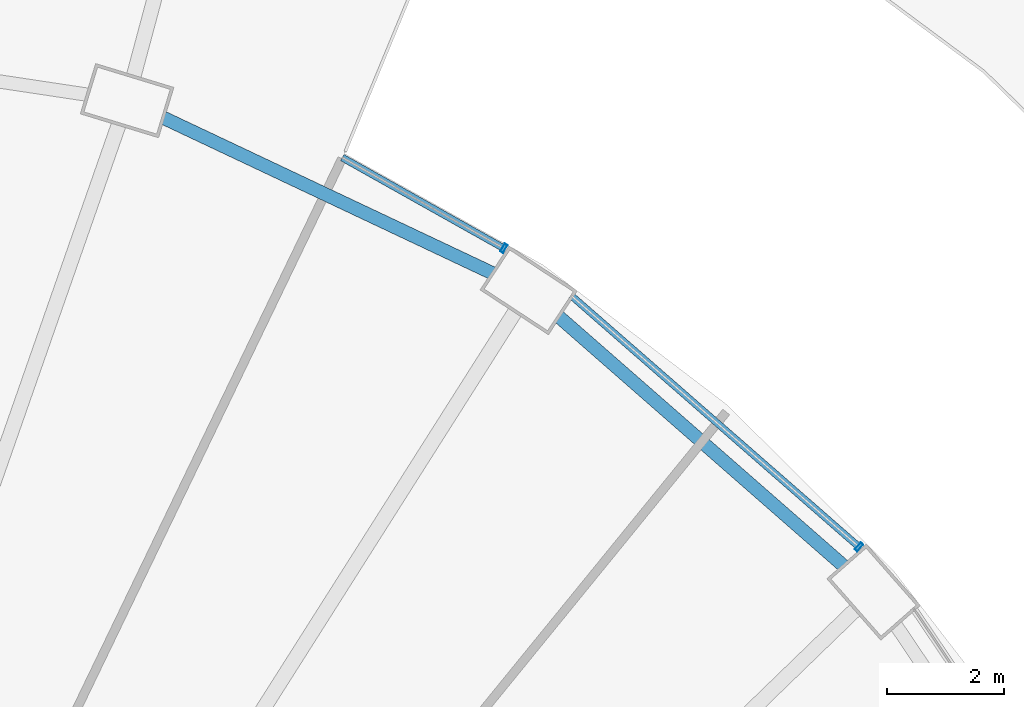
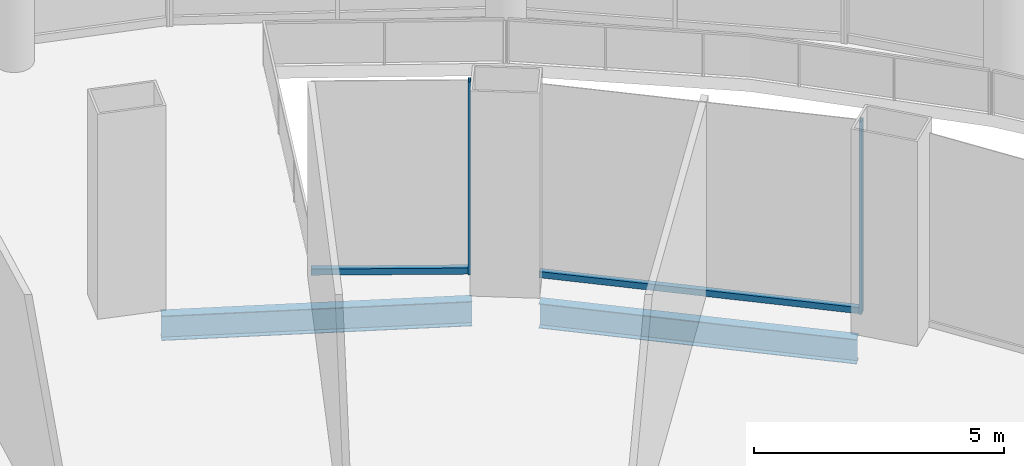
# One storey, part 35 of 47: 4 members, 2 beams, 2 elements without a shape of their own.
"""IFC4 building model written with IfcOpenShell, lengths in metres."""

from ifc_helpers import new_model, si_unit, direction, frame, origin, origin_2d, place, context, subcontext, project, spatial, hollow_rectangle, i_section, extrude, material, layer, layer_set, material_profile, profile_set, type_object, element, aggregate, save


model = new_model("IFC4")

# Units and contexts
model_context = context("Model", 3, precision=1e-05, world=origin(), true_north=direction((0.0, 1.0)))
body_context = subcontext(model_context, "Body", "Model", "MODEL_VIEW")
ifc_project = project(units=[si_unit("LENGTHUNIT", "METRE"), si_unit("AREAUNIT", "SQUARE_METRE"), si_unit("VOLUMEUNIT", "CUBIC_METRE"), si_unit("PLANEANGLEUNIT", "RADIAN"), si_unit("MASSUNIT", "GRAM", prefix="KILO")], contexts=[model_context])

# Site, building, storey
site_placement = place(None, origin())
site = spatial("IfcSite", under=ifc_project, at=site_placement, CompositionType="ELEMENT")
building_placement = place(site_placement, origin())
building = spatial("IfcBuilding", under=site, at=building_placement, Name="Nagisa Residences", CompositionType="ELEMENT")
storey_placement = place(building_placement, frame((0.0, 0.0, 17.0)))
storey = spatial("IfcBuildingStorey", under=building, at=storey_placement, Name="L03", CompositionType="ELEMENT", Elevation=17.0)

# Curtain wall, member
ifc_material_1 = material(Name="Stainless steel curtain wall system", Category="steel")
ifc_layer = layer(ifc_material_1, 0.159912109375)
ifc_layer_set = layer_set([ifc_layer], Name="CW6 CURTAIN WALL")
curtain_wall_type = type_object("IfcCurtainWallType", Name="CW6 CURTAIN WALL", PredefinedType="NOTDEFINED", material=ifc_layer_set)
curtain_wall_1_placement = place(storey_placement, origin())
curtain_wall_1 = element("IfcCurtainWall", 1, at=curtain_wall_1_placement, inside=storey, type_object=curtain_wall_type, Name="cw:CW6:L03:06", PredefinedType="NOTDEFINED")
ifc_material_2 = material(Name="Stainless steel", Category="steel")
ifc_material_profile_1 = material_profile(ifc_material_2, hollow_rectangle(XDim=0.159912109375, YDim=0.06005859375, WallThickness=0.006103515625, at=origin_2d()), Name="CW6 MULLION 160x60")
ifc_profile_set_1 = profile_set([ifc_material_profile_1], Name="Stainless steel")
member_type_1 = type_object("IfcMemberType", Name="CW6 MULLION 160x60", PredefinedType="MULLION", material=ifc_profile_set_1)
member_1_placement = place(storey_placement, frame((23.503662109375, 23.75439453125, 0.0), z_axis=(0.0, 0.0, 1.0), x_axis=(-0.657721475708, -0.753261216572, 0.0)))
member_1 = element("IfcMember", 2, at=member_1_placement, type_object=member_type_1, Name="CW6 mullion", PredefinedType="MULLION", context=body_context, shape_type="SweptSolid", body=[
    extrude(hollow_rectangle(XDim=0.159912109375, YDim=0.06005859375, WallThickness=0.006103515625, at=origin_2d()), origin(), (0.0, 0.0, 1.0), 4.699951171875),
])

curtain_wall_2_placement = place(storey_placement, origin())
curtain_wall_2 = element("IfcCurtainWall", 3, at=curtain_wall_2_placement, inside=storey, type_object=curtain_wall_type, Name="cw:CW6:L03:08", PredefinedType="NOTDEFINED")
member_2_placement = place(storey_placement, frame((17.42431640625, 28.8662109375, 0.0), z_axis=(0.0, 0.0, 1.0), x_axis=(-0.489376918501, -0.872072377523, 0.0)))
member_2 = element("IfcMember", 4, at=member_2_placement, type_object=member_type_1, Name="CW6 mullion", PredefinedType="MULLION", context=body_context, shape_type="SweptSolid", body=[
    extrude(hollow_rectangle(XDim=0.159912109375, YDim=0.06005859375, WallThickness=0.006103515625, at=origin_2d()), origin(), (0.0, 0.0, 1.0), 4.699951171875),
])

# Member
ifc_material_3 = material(Name="Stainless steel", Category="steel")
ifc_material_profile_2 = material_profile(ifc_material_3, hollow_rectangle(XDim=0.1201171875, YDim=0.14990234375, WallThickness=0.008056640625, at=origin_2d()), Name="CW6 TRANSOM 120x150")
ifc_profile_set_2 = profile_set([ifc_material_profile_2], Name="Stainless steel")
member_type_2 = type_object("IfcMemberType", Name="CW6 TRANSOM 120x150", PredefinedType="USERDEFINED", material=ifc_profile_set_2)
member_3_placement = place(storey_placement, frame((23.526123046875, 23.734619140625, 0.074951171875), z_axis=(-0.753255020636, 0.657728571591, 0.0), x_axis=(-0.657728571591, -0.753255020636, 0.0)))
member_3 = element("IfcMember", 5, at=member_3_placement, type_object=member_type_2, Name="CW6 transom", ObjectType="TRANSOM", PredefinedType="USERDEFINED", context=body_context, shape_type="SweptSolid", body=[
    extrude(hollow_rectangle(XDim=0.1201171875, YDim=0.14990234375, WallThickness=0.008056640625, at=origin_2d()), origin(), (0.0, 0.0, 1.0), 6.5732421875),
])

aggregate(curtain_wall_1, [member_1, member_3])

member_4_placement = place(storey_placement, frame((17.450439453125, 28.8515625, 0.074951171875), z_axis=(-0.872070011948, 0.489381133946, 0.0), x_axis=(-0.489381133946, -0.872070011948, 0.0)))
member_4 = element("IfcMember", 6, at=member_4_placement, type_object=member_type_2, Name="CW6 transom", ObjectType="TRANSOM", PredefinedType="USERDEFINED", context=body_context, shape_type="SweptSolid", body=[
    extrude(hollow_rectangle(XDim=0.1201171875, YDim=0.14990234375, WallThickness=0.008056640625, at=origin_2d()), origin(), (0.0, 0.0, 1.0), 3.201171875),
])

aggregate(curtain_wall_2, [member_2, member_4])

# Beams
ifc_material_4 = material(Name="Steel ASTM A572 Gr 50", Category="steel")
ifc_material_profile_3 = material_profile(ifc_material_4, i_section(OverallWidth=0.22802734375, OverallDepth=0.60302734375, WebThickness=0.010498046875, FlangeThickness=0.014892578125, at=origin_2d()), Name="W610x101")
ifc_profile_set_3 = profile_set([ifc_material_profile_3], Name="Steel ASTM A572 Gr 50")
beam_type = type_object("IfcBeamType", Name="Perimeter ring beam W610x101", PredefinedType="BEAM", material=ifc_profile_set_3)
beam_1_placement = place(storey_placement, frame((23.236328125, 23.432861328125, -0.6015625), z_axis=(-0.7525907186, 0.658488580217, 0.0), x_axis=(-0.658488580217, -0.7525907186, 0.0)))
element("IfcBeam", 7, at=beam_1_placement, inside=storey, type_object=beam_type, Name="beam:L03:pb04", PredefinedType="BEAM", context=body_context, shape_type="SweptSolid", body=[
    extrude(i_section(OverallWidth=0.22802734375, OverallDepth=0.60302734375, WebThickness=0.010498046875, FlangeThickness=0.014892578125, at=origin_2d()), origin(), (0.0, 0.0, 1.0), 6.470458984375),
])
beam_2_placement = place(storey_placement, frame((17.22900390625, 28.439208984375, -0.6015625), z_axis=(-0.904215426643, 0.427076646774, 0.0), x_axis=(-0.427076646774, -0.904215426643, 0.0)))
element("IfcBeam", 8, at=beam_2_placement, inside=storey, type_object=beam_type, Name="beam:L03:pb05", PredefinedType="BEAM", context=body_context, shape_type="SweptSolid", body=[
    extrude(i_section(OverallWidth=0.22802734375, OverallDepth=0.60302734375, WebThickness=0.010498046875, FlangeThickness=0.014892578125, at=origin_2d()), origin(), (0.0, 0.0, 1.0), 6.2275390625),
])

save(model, "model.ifc")
